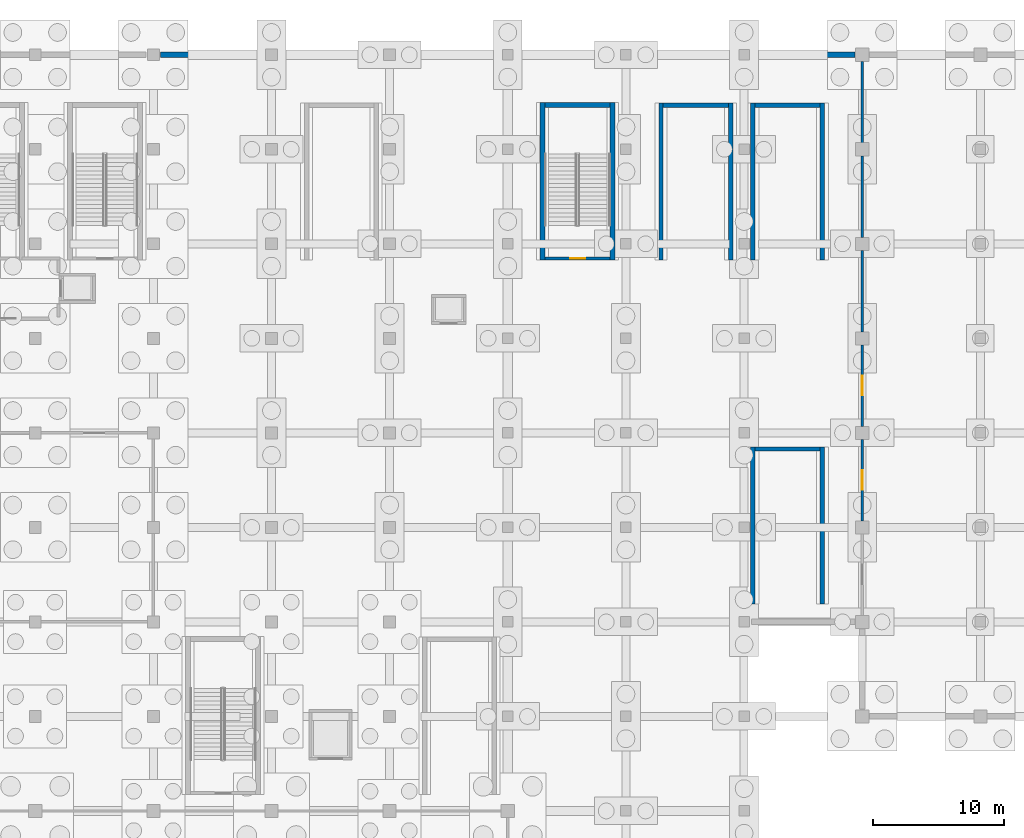
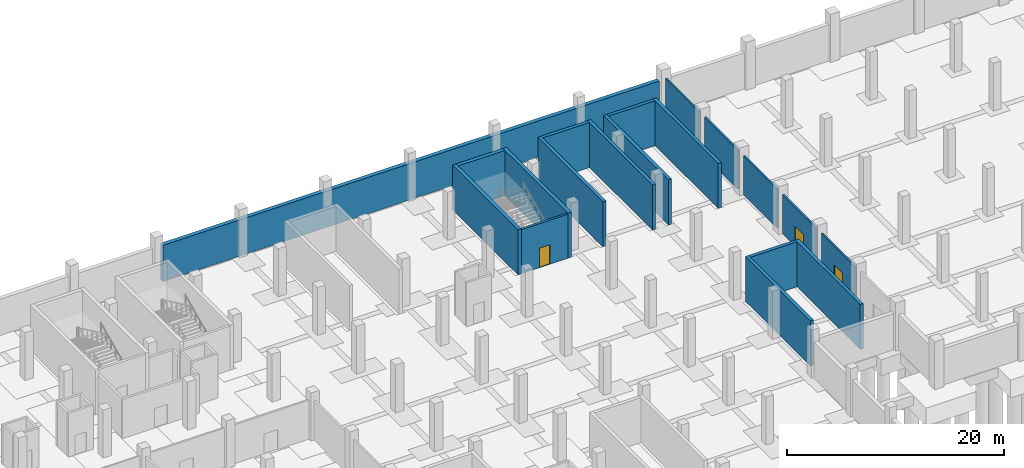
# One storey, part 27 of 39: 19 walls, 3 doors, 3 openings.
"""IFC4 building model written with IfcOpenShell, lengths in metres."""

from ifc_helpers import new_model, si_unit, direction, frame, frame_2d, origin, place, context, subcontext, project, spatial, rectangle, extrude, material, layer, layer_set, type_object, element, fill, save


model = new_model("IFC4")

# Units and contexts
model_context = context("Model", 3, precision=1e-05, world=origin(), true_north=direction((0.0, 1.0)))
body_context = subcontext(model_context, "Body", "Model", "MODEL_VIEW")
ifc_project = project(units=[si_unit("LENGTHUNIT", "METRE"), si_unit("AREAUNIT", "SQUARE_METRE"), si_unit("VOLUMEUNIT", "CUBIC_METRE"), si_unit("PLANEANGLEUNIT", "RADIAN"), si_unit("MASSUNIT", "GRAM", prefix="KILO")], contexts=[model_context])

# Site, building, storey
site_placement = place(None, origin())
site = spatial("IfcSite", under=ifc_project, at=site_placement, CompositionType="ELEMENT")
building_placement = place(site_placement, origin())
building = spatial("IfcBuilding", under=site, at=building_placement, Name="Celestram Park Convention Centre", CompositionType="ELEMENT")
storey_placement = place(building_placement, frame((0.0, 0.0, -5.39990234375)))
storey = spatial("IfcBuildingStorey", under=building, at=storey_placement, Name="B1", CompositionType="ELEMENT", Elevation=-5.39990234375)

# Wall, opening, door
ifc_material_1 = material(Name="Concrete Block Masonry C25/30", Category="masonry")
ifc_layer_1 = layer(ifc_material_1, 0.25)
ifc_layer_set_1 = layer_set([ifc_layer_1], Name="Concrete Block Masonry C25/30")
wall_type_1 = type_object("IfcWallType", Name="ARC-WL-COR250", PredefinedType="STANDARD", material=ifc_layer_set_1)
wall_1_placement = place(storey_placement, frame((128.840087890625, 150.074951171875, 0.0), z_axis=(0.0, 0.0, 1.0), x_axis=(1.0, 0.0, 0.0)))
wall_1 = element("IfcWall", 1, at=wall_1_placement, inside=storey, type_object=wall_type_1, Name="Core C5 stair entrance wall", PredefinedType="STANDARD", context=body_context, shape_type="SweptSolid", body=[
    extrude(rectangle(XDim=4.9599609375, YDim=0.25, at=frame_2d((2.47998046875, 0.0))), origin(), (0.0, 0.0, 1.0), 4.949951171875),
])
opening_1_placement = place(wall_1_placement, frame((1.905029296875, 0.0, 0.0)))
opening_1 = element("IfcOpeningElement", 2, at=opening_1_placement, cuts=wall_1, Name="Opening D-ST1", PredefinedType="OPENING", context=body_context, shape_type="SweptSolid", body=[
    extrude(rectangle(XDim=1.14990234375, YDim=2.199951171875, at=frame_2d((0.574951171875, 1.10009765625))), frame((0.0, 0.135009765625, 0.0), z_axis=(0.0, -1.0, 0.0), x_axis=(1.0, 0.0, 0.0)), (0.0, 0.0, 1.0), 0.27001953125),
])
ifc_material_2 = material(Name="Fire-Rated Hollow Metal Steel ASTM A653", Category="steel")
door_type_1 = type_object("IfcDoorType", Name="ARC-DR-ST115", OperationType="NOTDEFINED", PredefinedType="DOOR", material=ifc_material_2)
door_1_placement = place(opening_1_placement, origin())
door_1 = element("IfcDoor", 3, at=door_1_placement, inside=storey, type_object=door_type_1, Name="Exit stair ST-05 fire door", OperationType="SINGLE_SWING_RIGHT", OverallHeight=2.199951171875, OverallWidth=1.14990234375, PredefinedType="DOOR", context=body_context, shape_type="SweptSolid", body=[
    extrude(rectangle(XDim=1.14990234375, YDim=2.199951171875, at=frame_2d((0.574951171875, 1.10009765625))), frame((0.0, 0.02490234375, 0.0), z_axis=(0.0, -1.0, 0.0), x_axis=(1.0, 0.0, 0.0)), (0.0, 0.0, 1.0), 0.050048828125),
])
fill(opening_1, door_1)

ifc_material_3 = material(Name="Fire-Rated Gypsum & Steel Stud 180 mm", Category="steel")
ifc_layer_2 = layer(ifc_material_3, 0.179931640625)
ifc_layer_set_2 = layer_set([ifc_layer_2], Name="Fire-Rated Gypsum & Steel Stud 180 mm")
wall_type_2 = type_object("IfcWallType", Name="ARC-WL-PRT180", PredefinedType="PARTITIONING", material=ifc_layer_set_2)
wall_2_placement = place(storey_placement, frame((153.0, 130.097900390625, 0.0), z_axis=(0.0, 0.0, 1.0), x_axis=(0.0, 1.0, 0.0)))
wall_2 = element("IfcWall", 4, at=wall_2_placement, inside=storey, type_object=wall_type_2, Name="Interior partition WL-B1-IN0535", PredefinedType="PARTITIONING", context=body_context, shape_type="SweptSolid", body=[
    extrude(rectangle(XDim=6.2041015625, YDim=0.179931640625, at=frame_2d((3.10205078125, 0.0))), origin(), (0.0, 0.0, 1.0), 4.39697265625),
])
opening_2_placement = place(wall_2_placement, frame((2.35205078125, 0.0, 0.0)))
opening_2 = element("IfcOpeningElement", 5, at=opening_2_placement, cuts=wall_2, Name="Opening D-09", PredefinedType="OPENING", context=body_context, shape_type="SweptSolid", body=[
    extrude(rectangle(XDim=1.5, YDim=2.25, at=frame_2d((0.75, 1.125))), frame((0.0, 0.099853515625, 0.0), z_axis=(0.0, -1.0, 0.0), x_axis=(1.0, 0.0, 0.0)), (0.0, 0.0, 1.0), 0.199951171875),
])
ifc_material_4 = material(Name="Galvanised Hollow Metal Plant Double Door", Category="steel")
door_type_2 = type_object("IfcDoorType", Name="ARC-DR-PLT150", OperationType="NOTDEFINED", PredefinedType="DOOR", material=ifc_material_4)
door_2_placement = place(opening_2_placement, origin())
door_2 = element("IfcDoor", 6, at=door_2_placement, inside=storey, type_object=door_type_2, Name="Auditorium Plant Room entrance door", OperationType="DOUBLE_DOOR_SINGLE_SWING", OverallHeight=2.25, OverallWidth=1.5, PredefinedType="DOOR", context=body_context, shape_type="SweptSolid", body=[
    extrude(rectangle(XDim=1.5, YDim=2.25, at=frame_2d((0.75, 1.125))), frame((0.0, 0.02490234375, 0.0), z_axis=(0.0, -1.0, 0.0), x_axis=(1.0, 0.0, 0.0)), (0.0, 0.0, 1.0), 0.050048828125),
])
fill(opening_2, door_2)

wall_3_placement = place(storey_placement, frame((153.0, 137.298095703125, 0.0), z_axis=(0.0, 0.0, 1.0), x_axis=(0.0, 1.0, 0.0)))
wall_3 = element("IfcWall", 7, at=wall_3_placement, inside=storey, type_object=wall_type_2, Name="Interior partition WL-B1-IN0536", PredefinedType="PARTITIONING", context=body_context, shape_type="SweptSolid", body=[
    extrude(rectangle(XDim=6.203857421875, YDim=0.179931640625, at=frame_2d((3.10205078125, 0.0))), origin(), (0.0, 0.0, 1.0), 4.39697265625),
])
opening_3_placement = place(wall_3_placement, frame((2.35205078125, 0.0, 0.0)))
opening_3 = element("IfcOpeningElement", 8, at=opening_3_placement, cuts=wall_3, Name="Opening D-09", PredefinedType="OPENING", context=body_context, shape_type="SweptSolid", body=[
    extrude(rectangle(XDim=1.5, YDim=2.25, at=frame_2d((0.75, 1.125))), frame((0.0, 0.099853515625, 0.0), z_axis=(0.0, -1.0, 0.0), x_axis=(1.0, 0.0, 0.0)), (0.0, 0.0, 1.0), 0.199951171875),
])
door_3_placement = place(opening_3_placement, origin())
door_3 = element("IfcDoor", 9, at=door_3_placement, inside=storey, type_object=door_type_2, Name="Auditorium Plant Room entrance door", OperationType="DOUBLE_DOOR_SINGLE_SWING", OverallHeight=2.25, OverallWidth=1.5, PredefinedType="DOOR", context=body_context, shape_type="SweptSolid", body=[
    extrude(rectangle(XDim=1.5, YDim=2.25, at=frame_2d((0.75, 1.125))), frame((0.0, 0.02490234375, 0.0), z_axis=(0.0, -1.0, 0.0), x_axis=(1.0, 0.0, 0.0)), (0.0, 0.0, 1.0), 0.050048828125),
])
fill(opening_3, door_3)

# Walls
wall_4_placement = place(storey_placement, frame((153.0, 144.498046875, 0.0), z_axis=(0.0, 0.0, 1.0), x_axis=(0.0, 1.0, 0.0)))
element("IfcWall", 10, at=wall_4_placement, inside=storey, type_object=wall_type_2, Name="Interior partition WL-B1-IN0537", PredefinedType="PARTITIONING", context=body_context, shape_type="SweptSolid", body=[
    extrude(rectangle(XDim=6.203857421875, YDim=0.179931640625, at=frame_2d((3.10205078125, 0.0))), origin(), (0.0, 0.0, 1.0), 4.39697265625),
])
for number, where, z_axis, x_axis, name in (
    (11, (153.0, 151.697998046875, 0.0), (0.0, 0.0, 1.0), (0.0, 1.0, 0.0), "Interior partition WL-B1-IN0538"),
    (12, (153.0, 158.89794921875, 0.0), (0.0, 0.0, 1.0), (0.0, 1.0, 0.0), "Interior partition WL-B1-IN0539"),
):
    element("IfcWall", number, at=place(storey_placement, frame(where, z_axis=z_axis, x_axis=x_axis)), inside=storey, type_object=wall_type_2, Name=name, PredefinedType="PARTITIONING", context=body_context, shape_type="SweptSolid", body=[
        extrude(rectangle(XDim=6.2041015625, YDim=0.179931640625, at=frame_2d((3.10205078125, 0.0))), origin(), (0.0, 0.0, 1.0), 4.39697265625),
    ])
ifc_material_5 = material(Name="Concrete C40/50", Category="concrete")
ifc_layer_3 = layer(ifc_material_5, 0.419921875)
ifc_layer_set_3 = layer_set([ifc_layer_3], Name="Concrete C40/50")
wall_type_3 = type_object("IfcWallType", Name="STR-WL-RET420", PredefinedType="USERDEFINED", material=ifc_layer_set_3)
wall_5_placement = place(storey_placement, frame((99.550048828125, 165.60009765625, 0.0), z_axis=(0.0, 0.0, 1.0), x_axis=(1.0, 0.0, 0.0)))
element("IfcWall", 13, at=wall_5_placement, inside=storey, type_object=wall_type_3, Name="Basement retaining wall WL-B1-RET06", ObjectType="RETAININGWALL", PredefinedType="USERDEFINED", context=body_context, shape_type="SweptSolid", body=[
    extrude(rectangle(XDim=52.89990234375, YDim=0.419921875, at=frame_2d((26.449951171875, 0.0))), origin(), (0.0, 0.0, 1.0), 4.079833984375),
])
ifc_layer_4 = layer(ifc_material_5, 0.340087890625)
ifc_layer_set_4 = layer_set([ifc_layer_4], Name="Concrete C40/50")
wall_type_4 = type_object("IfcWallType", Name="STR-WL-SHR340", PredefinedType="SHEAR", material=ifc_layer_set_4)
for number, where, z_axis, x_axis, name in (
    (14, (144.669921875, 149.949951171875, 0.0), (0.0, 0.0, 1.0), (0.0, 1.0, 0.0), "Core S09 shear wall L"),
    (15, (149.969970703125, 161.93994140625, 0.0), (0.0, 0.0, 1.0), (0.0, -1.0, 0.0), "Core S09 shear wall R"),
):
    element("IfcWall", number, at=place(storey_placement, frame(where, z_axis=z_axis, x_axis=x_axis)), inside=storey, type_object=wall_type_4, Name=name, PredefinedType="SHEAR", context=body_context, shape_type="SweptSolid", body=[
        extrude(rectangle(XDim=11.989990234375, YDim=0.340087890625, at=frame_2d((5.9951171875, 0.0))), origin(), (0.0, 0.0, 1.0), 5.079833984375),
    ])
wall_6_placement = place(storey_placement, frame((144.840087890625, 161.77001953125, 0.0), z_axis=(0.0, 0.0, 1.0), x_axis=(1.0, 0.0, 0.0)))
element("IfcWall", 16, at=wall_6_placement, inside=storey, type_object=wall_type_4, Name="Core S09 shear wall F", PredefinedType="SHEAR", context=body_context, shape_type="SweptSolid", body=[
    extrude(rectangle(XDim=4.9599609375, YDim=0.340087890625, at=frame_2d((2.47998046875, 0.0))), origin(), (0.0, 0.0, 1.0), 5.079833984375),
])
for number, where, z_axis, x_axis, name in (
    (17, (144.669921875, 123.75, 0.0), (0.0, 0.0, 1.0), (0.0, 1.0, 0.0), "Core S10 shear wall L"),
    (18, (149.969970703125, 135.739990234375, 0.0), (0.0, 0.0, 1.0), (0.0, -1.0, 0.0), "Core S10 shear wall R"),
):
    element("IfcWall", number, at=place(storey_placement, frame(where, z_axis=z_axis, x_axis=x_axis)), inside=storey, type_object=wall_type_4, Name=name, PredefinedType="SHEAR", context=body_context, shape_type="SweptSolid", body=[
        extrude(rectangle(XDim=11.989990234375, YDim=0.340087890625, at=frame_2d((5.9951171875, 0.0))), origin(), (0.0, 0.0, 1.0), 5.079833984375),
    ])
wall_7_placement = place(storey_placement, frame((144.840087890625, 135.570068359375, 0.0), z_axis=(0.0, 0.0, 1.0), x_axis=(1.0, 0.0, 0.0)))
element("IfcWall", 19, at=wall_7_placement, inside=storey, type_object=wall_type_4, Name="Core S10 shear wall F", PredefinedType="SHEAR", context=body_context, shape_type="SweptSolid", body=[
    extrude(rectangle(XDim=4.9599609375, YDim=0.340087890625, at=frame_2d((2.47998046875, 0.0))), origin(), (0.0, 0.0, 1.0), 5.079833984375),
])
for number, where, z_axis, x_axis, name in (
    (20, (137.669921875, 149.949951171875, 0.0), (0.0, 0.0, 1.0), (0.0, 1.0, 0.0), "Core S22 shear wall L"),
    (21, (142.969970703125, 161.93994140625, 0.0), (0.0, 0.0, 1.0), (0.0, -1.0, 0.0), "Core S22 shear wall R"),
):
    element("IfcWall", number, at=place(storey_placement, frame(where, z_axis=z_axis, x_axis=x_axis)), inside=storey, type_object=wall_type_4, Name=name, PredefinedType="SHEAR", context=body_context, shape_type="SweptSolid", body=[
        extrude(rectangle(XDim=11.989990234375, YDim=0.340087890625, at=frame_2d((5.9951171875, 0.0))), origin(), (0.0, 0.0, 1.0), 5.079833984375),
    ])
wall_8_placement = place(storey_placement, frame((137.840087890625, 161.77001953125, 0.0), z_axis=(0.0, 0.0, 1.0), x_axis=(1.0, 0.0, 0.0)))
element("IfcWall", 22, at=wall_8_placement, inside=storey, type_object=wall_type_4, Name="Core S22 shear wall F", PredefinedType="SHEAR", context=body_context, shape_type="SweptSolid", body=[
    extrude(rectangle(XDim=4.9599609375, YDim=0.340087890625, at=frame_2d((2.47998046875, 0.0))), origin(), (0.0, 0.0, 1.0), 5.079833984375),
])
ifc_layer_5 = layer(ifc_material_5, 0.3798828125)
ifc_layer_set_5 = layer_set([ifc_layer_5], Name="Concrete C40/50")
wall_type_5 = type_object("IfcWallType", Name="STR-WL-SHR380", PredefinedType="SHEAR", material=ifc_layer_set_5)
for number, where, z_axis, x_axis, name in (
    (23, (128.64990234375, 149.949951171875, 0.0), (0.0, 0.0, 1.0), (0.0, 1.0, 0.0), "Core C5 shear wall L"),
    (24, (133.989990234375, 161.97998046875, 0.0), (0.0, 0.0, 1.0), (0.0, -1.0, 0.0), "Core C5 shear wall R"),
):
    element("IfcWall", number, at=place(storey_placement, frame(where, z_axis=z_axis, x_axis=x_axis)), inside=storey, type_object=wall_type_5, Name=name, PredefinedType="SHEAR", context=body_context, shape_type="SweptSolid", body=[
        extrude(rectangle(XDim=12.030029296875, YDim=0.3798828125, at=frame_2d((6.01513671875, 0.0))), origin(), (0.0, 0.0, 1.0), 5.079833984375),
    ])
wall_9_placement = place(storey_placement, frame((128.840087890625, 161.7900390625, 0.0), z_axis=(0.0, 0.0, 1.0), x_axis=(1.0, 0.0, 0.0)))
element("IfcWall", 25, at=wall_9_placement, inside=storey, type_object=wall_type_5, Name="Core C5 shear wall F", PredefinedType="SHEAR", context=body_context, shape_type="SweptSolid", body=[
    extrude(rectangle(XDim=4.9599609375, YDim=0.3798828125, at=frame_2d((2.47998046875, 0.0))), origin(), (0.0, 0.0, 1.0), 5.079833984375),
])

save(model, "model.ifc")
